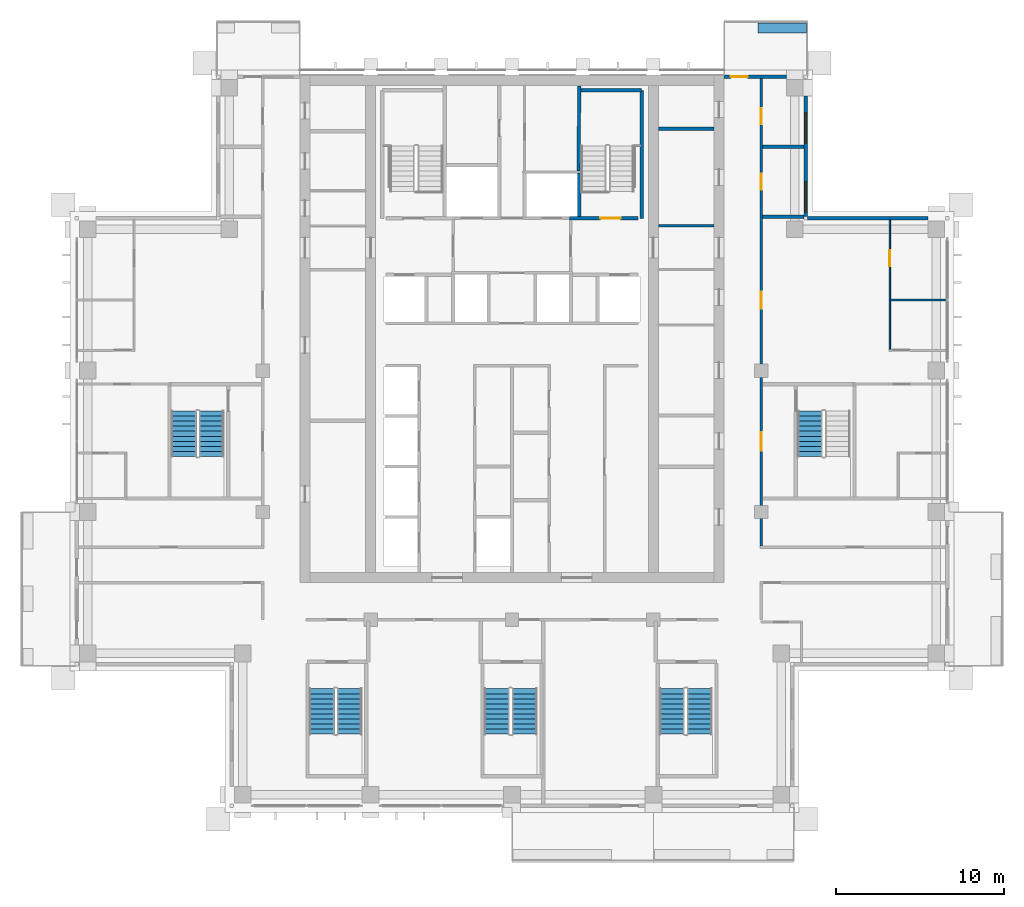
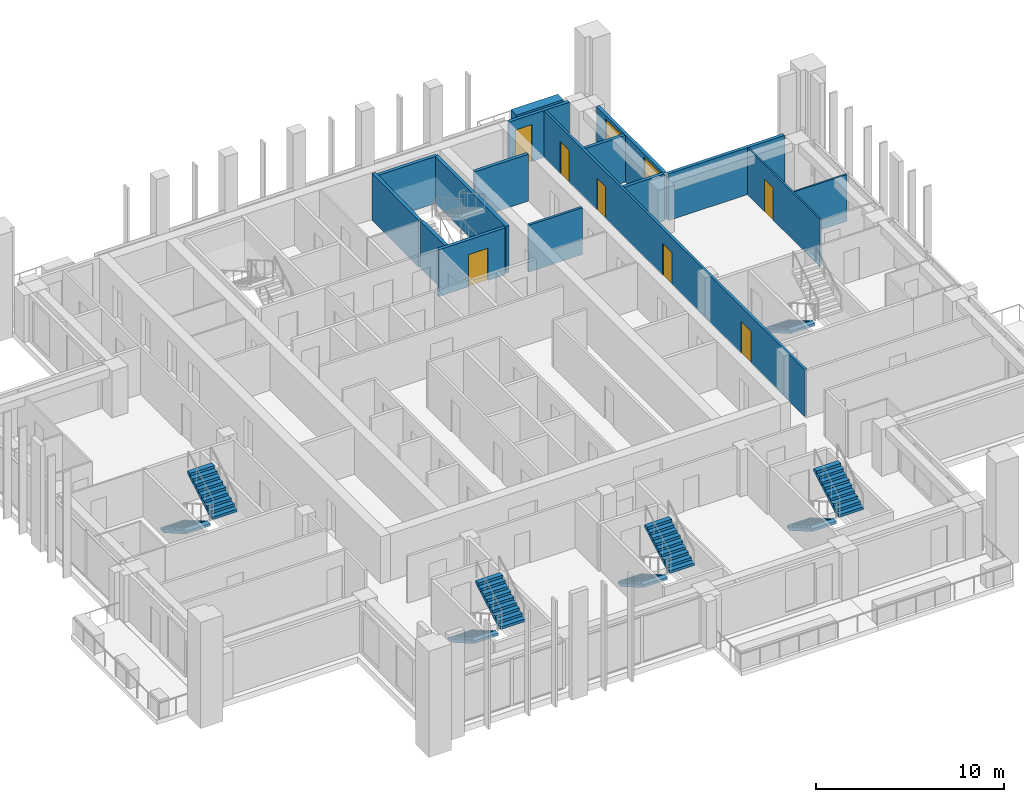
# One storey, part 13 of 18: 16 walls, 9 stair flights, 7 doors, 2 windows, 9 openings, 5 elements without a shape of their own.
"""IFC4 building model written with IfcOpenShell, lengths in metres."""

from ifc_helpers import new_model, si_unit, direction, frame, frame_2d, origin, place, context, subcontext, project, spatial, polyline, rectangle, outline, extrude, material, layer, layer_set, type_object, element, fill, aggregate, save


model = new_model("IFC4")

# Units and contexts
model_context = context("Model", 3, precision=1e-05, world=origin(), true_north=direction((0.0, 1.0)))
body_context = subcontext(model_context, "Body", "Model", "MODEL_VIEW")
ifc_project = project(units=[si_unit("LENGTHUNIT", "METRE"), si_unit("AREAUNIT", "SQUARE_METRE"), si_unit("VOLUMEUNIT", "CUBIC_METRE"), si_unit("PLANEANGLEUNIT", "RADIAN"), si_unit("MASSUNIT", "GRAM", prefix="KILO")], contexts=[model_context])

# Site, building, storey
site_placement = place(None, origin())
site = spatial("IfcSite", under=ifc_project, at=site_placement, CompositionType="ELEMENT")
building_placement = place(site_placement, origin())
building = spatial("IfcBuilding", under=site, at=building_placement, Name="Vermilion Ogive Tower", CompositionType="ELEMENT")
storey_placement = place(building_placement, frame((0.0, 0.0, 185.89990234375)))
storey = spatial("IfcBuildingStorey", under=building, at=storey_placement, Name="L48", CompositionType="ELEMENT", Elevation=185.89990234375)

# Wall
ifc_material_1 = material(Name="Gypsum board partition on steel studs", Category="steel")
ifc_layer_1 = layer(ifc_material_1, 0.10009765625)
ifc_layer_set_1 = layer_set([ifc_layer_1], Name="Partition 100 inner")
wall_type_1 = type_object("IfcWallType", Name="Partition 100 inner", PredefinedType="PARTITIONING", material=ifc_layer_set_1)
wall_1_placement = place(storey_placement, frame((22.5, 8.39990234375, 0.0), z_axis=(0.0, 0.0, 1.0), x_axis=(1.0, 0.0, 0.0)))
element("IfcWall", 1, at=wall_1_placement, inside=storey, type_object=wall_type_1, Name="L48-W-W024", PredefinedType="PARTITIONING", context=body_context, shape_type="SweptSolid", body=[
    extrude(rectangle(XDim=3.25, YDim=0.10009765625, at=frame_2d((1.625, 0.0))), origin(), (0.0, 0.0, 1.0), 3.050048828125),
])

# Wall, opening, door
wall_2_placement = place(storey_placement, frame((22.449951171875, 5.449951171875, 0.0), z_axis=(0.0, 0.0, 1.0), x_axis=(0.0, 1.0, 0.0)))
wall_2 = element("IfcWall", 2, at=wall_2_placement, inside=storey, type_object=wall_type_1, Name="L48-W-W046", PredefinedType="PARTITIONING", context=body_context, shape_type="SweptSolid", body=[
    extrude(rectangle(XDim=7.699951171875, YDim=0.10009765625, at=frame_2d((3.85009765625, 0.0))), origin(), (0.0, 0.0, 1.0), 3.050048828125),
])
opening_1_placement = place(wall_2_placement, frame((4.949951171875, 0.0, 0.0)))
opening_1 = element("IfcOpeningElement", 3, at=opening_1_placement, cuts=wall_2, Name="Opening D4G2014", PredefinedType="OPENING", context=body_context, shape_type="SweptSolid", body=[
    extrude(rectangle(XDim=0.949951171875, YDim=2.10009765625, at=frame_2d((0.47509765625, 1.050048828125))), frame((0.0, 0.06005859375, 0.0), z_axis=(0.0, -1.0, 0.0), x_axis=(1.0, 0.0, 0.0)), (0.0, 0.0, 1.0), 0.1201171875),
])
ifc_material_2 = material(Name="Timber door leaf", Category="wood")
door_type_1 = type_object("IfcDoorType", Name="Inner door 950 x 2100 FD30", OperationType="SINGLE_SWING_LEFT", PredefinedType="DOOR", material=ifc_material_2)
door_1_placement = place(opening_1_placement, origin())
door_1 = element("IfcDoor", 4, at=door_1_placement, inside=storey, type_object=door_type_1, Name="L48-D-D014", OperationType="SINGLE_SWING_LEFT", OverallHeight=2.10009765625, OverallWidth=0.949951171875, PredefinedType="DOOR", context=body_context, shape_type="SweptSolid", body=[
    extrude(rectangle(XDim=0.949951171875, YDim=2.10009765625, at=frame_2d((0.47509765625, 1.050048828125))), frame((0.0, 0.02490234375, 0.0), z_axis=(0.0, -1.0, 0.0), x_axis=(1.0, 0.0, 0.0)), (0.0, 0.0, 1.0), 0.050048828125),
])
fill(opening_1, door_1)

# Wall, openings, doors
ifc_material_3 = material(Name="Gypsum board partition on steel studs", Category="steel")
ifc_layer_2 = layer(ifc_material_3, 0.14990234375)
ifc_layer_set_2 = layer_set([ifc_layer_2], Name="Partition 150 corridor")
wall_type_2 = type_object("IfcWallType", Name="Partition 150 corridor", PredefinedType="PARTITIONING", material=ifc_layer_set_2)
wall_3_placement = place(storey_placement, frame((14.800048828125, -6.22509765625, 0.0), z_axis=(0.0, 0.0, 1.0), x_axis=(0.0, 1.0, 0.0)))
wall_3 = element("IfcWall", 5, at=wall_3_placement, inside=storey, type_object=wall_type_2, Name="L48-W-W042", PredefinedType="PARTITIONING", context=body_context, shape_type="SweptSolid", body=[
    extrude(rectangle(XDim=27.775146484375, YDim=0.14990234375, at=frame_2d((13.8876953125, 0.0))), origin(), (0.0, 0.0, 1.0), 3.050048828125),
])
opening_2_placement = place(wall_3_placement, frame((14.10009765625, 0.0, 0.0)))
opening_2 = element("IfcOpeningElement", 6, at=opening_2_placement, cuts=wall_3, Name="Opening D4G2015", PredefinedType="OPENING", context=body_context, shape_type="SweptSolid", body=[
    extrude(rectangle(XDim=1.0, YDim=2.10009765625, at=frame_2d((0.5, 1.050048828125))), frame((0.0, 0.0849609375, 0.0), z_axis=(0.0, -1.0, 0.0), x_axis=(1.0, 0.0, 0.0)), (0.0, 0.0, 1.0), 0.169921875),
])
opening_3_placement = place(wall_3_placement, frame((21.175048828125, 0.0, 0.0)))
opening_3 = element("IfcOpeningElement", 7, at=opening_3_placement, cuts=wall_3, Name="Opening D4G2018", PredefinedType="OPENING", context=body_context, shape_type="SweptSolid", body=[
    extrude(rectangle(XDim=0.949951171875, YDim=2.10009765625, at=frame_2d((0.47509765625, 1.050048828125))), frame((0.0, 0.0849609375, 0.0), z_axis=(0.0, -1.0, 0.0), x_axis=(1.0, 0.0, 0.0)), (0.0, 0.0, 1.0), 0.169921875),
])
opening_4_placement = place(wall_3_placement, frame((25.0751953125, 0.0, 0.0)))
opening_4 = element("IfcOpeningElement", 8, at=opening_4_placement, cuts=wall_3, Name="Opening D4G2019", PredefinedType="OPENING", context=body_context, shape_type="SweptSolid", body=[
    extrude(rectangle(XDim=0.949951171875, YDim=2.10009765625, at=frame_2d((0.47509765625, 1.050048828125))), frame((0.0, 0.0849609375, 0.0), z_axis=(0.0, -1.0, 0.0), x_axis=(1.0, 0.0, 0.0)), (0.0, 0.0, 1.0), 0.169921875),
])
opening_5_placement = place(wall_3_placement, frame((5.675048828125, 0.0, 0.0)))
opening_5 = element("IfcOpeningElement", 9, at=opening_5_placement, cuts=wall_3, Name="Opening D4G2026", PredefinedType="OPENING", context=body_context, shape_type="SweptSolid", body=[
    extrude(rectangle(XDim=1.10009765625, YDim=2.10009765625, at=frame_2d((0.550048828125, 1.050048828125))), frame((0.0, 0.0849609375, 0.0), z_axis=(0.0, -1.0, 0.0), x_axis=(1.0, 0.0, 0.0)), (0.0, 0.0, 1.0), 0.169921875),
])
ifc_material_4 = material(Name="Timber door leaf", Category="wood")
door_type_2 = type_object("IfcDoorType", Name="Stair door 1100 x 2100 FD60S", OperationType="SINGLE_SWING_LEFT", PredefinedType="DOOR", material=ifc_material_4)
door_2_placement = place(opening_5_placement, origin())
door_2 = element("IfcDoor", 10, at=door_2_placement, inside=storey, type_object=door_type_2, Name="L48-D-D026", OperationType="SINGLE_SWING_LEFT", OverallHeight=2.10009765625, OverallWidth=1.10009765625, PredefinedType="DOOR", context=body_context, shape_type="SweptSolid", body=[
    extrude(rectangle(XDim=1.10009765625, YDim=2.10009765625, at=frame_2d((0.550048828125, 1.050048828125))), frame((0.0, 0.02490234375, 0.0), z_axis=(0.0, -1.0, 0.0), x_axis=(1.0, 0.0, 0.0)), (0.0, 0.0, 1.0), 0.050048828125),
])
fill(opening_5, door_2)
ifc_material_5 = material(Name="Timber door leaf", Category="wood")
door_type_3 = type_object("IfcDoorType", Name="Unit door 1000 x 2100 FD30S", OperationType="SINGLE_SWING_LEFT", PredefinedType="DOOR", material=ifc_material_5)
door_3_placement = place(opening_2_placement, origin())
door_3 = element("IfcDoor", 11, at=door_3_placement, inside=storey, type_object=door_type_3, Name="L48-D-D015", OperationType="SINGLE_SWING_RIGHT", OverallHeight=2.10009765625, OverallWidth=1.0, PredefinedType="DOOR", context=body_context, shape_type="SweptSolid", body=[
    extrude(rectangle(XDim=1.0, YDim=2.10009765625, at=frame_2d((0.5, 1.050048828125))), frame((0.0, 0.02490234375, 0.0), z_axis=(0.0, -1.0, 0.0), x_axis=(1.0, 0.0, 0.0)), (0.0, 0.0, 1.0), 0.050048828125),
])
fill(opening_2, door_3)
ifc_material_6 = material(Name="Timber door leaf", Category="wood")
door_type_4 = type_object("IfcDoorType", Name="Unit door 950 x 2100 FD30S", OperationType="SINGLE_SWING_LEFT", PredefinedType="DOOR", material=ifc_material_6)
door_4_placement = place(opening_3_placement, origin())
door_4 = element("IfcDoor", 12, at=door_4_placement, inside=storey, type_object=door_type_4, Name="L48-D-D018", OperationType="SINGLE_SWING_LEFT", OverallHeight=2.10009765625, OverallWidth=0.949951171875, PredefinedType="DOOR", context=body_context, shape_type="SweptSolid", body=[
    extrude(rectangle(XDim=0.949951171875, YDim=2.10009765625, at=frame_2d((0.47509765625, 1.050048828125))), frame((0.0, 0.02490234375, 0.0), z_axis=(0.0, -1.0, 0.0), x_axis=(1.0, 0.0, 0.0)), (0.0, 0.0, 1.0), 0.050048828125),
])
fill(opening_3, door_4)
door_5_placement = place(opening_4_placement, origin())
door_5 = element("IfcDoor", 13, at=door_5_placement, inside=storey, type_object=door_type_4, Name="L48-D-D019", OperationType="SINGLE_SWING_RIGHT", OverallHeight=2.10009765625, OverallWidth=0.949951171875, PredefinedType="DOOR", context=body_context, shape_type="SweptSolid", body=[
    extrude(rectangle(XDim=0.949951171875, YDim=2.10009765625, at=frame_2d((0.47509765625, 1.050048828125))), frame((0.0, 0.02490234375, 0.0), z_axis=(0.0, -1.0, 0.0), x_axis=(1.0, 0.0, 0.0)), (0.0, 0.0, 1.0), 0.050048828125),
])
fill(opening_4, door_5)

# Walls
wall_4_placement = place(storey_placement, frame((8.700927734375, 12.800048828125, 0.0), z_axis=(0.0, 0.0, 1.0), x_axis=(1.0, 0.0, 0.0)))
element("IfcWall", 14, at=wall_4_placement, inside=storey, type_object=wall_type_2, Name="L48-CKE-W-W005", PredefinedType="PARTITIONING", context=body_context, shape_type="SweptSolid", body=[
    extrude(rectangle(XDim=3.298095703125, YDim=0.14990234375, at=frame_2d((1.64892578125, 0.0))), origin(), (0.0, 0.0, 1.0), 3.050048828125),
])
ifc_material_7 = material(Name="Gypsum board partition on steel studs", Category="steel")
ifc_layer_3 = layer(ifc_material_7, 0.199951171875)
ifc_layer_set_3 = layer_set([ifc_layer_3], Name="Partition 200 party")
wall_type_3 = type_object("IfcWallType", Name="Partition 200 party", PredefinedType="PARTITIONING", material=ifc_layer_set_3)
for number, where, z_axis, x_axis, name in (
    (15, (14.875, 13.35009765625, 0.0), (0.0, 0.0, 1.0), (1.0, 0.0, 0.0), "L48-W-W026"),
    (16, (14.875, 17.5, 0.0), (0.0, 0.0, 1.0), (1.0, 0.0, 0.0), "L48-W-W028"),
):
    element("IfcWall", number, at=place(storey_placement, frame(where, z_axis=z_axis, x_axis=x_axis)), inside=storey, type_object=wall_type_3, Name=name, PredefinedType="PARTITIONING", context=body_context, shape_type="SweptSolid", body=[
        extrude(rectangle(XDim=2.47509765625, YDim=0.199951171875, at=frame_2d((1.237548828125, 0.0))), origin(), (0.0, 0.0, 1.0), 3.050048828125),
    ])
wall_5_placement = place(storey_placement, frame((8.700927734375, 18.56005859375, 0.0), z_axis=(0.0, 0.0, 1.0), x_axis=(1.0, 0.0, 0.0)))
element("IfcWall", 17, at=wall_5_placement, inside=storey, type_object=wall_type_3, Name="L48-CKE-W-W006", PredefinedType="PARTITIONING", context=body_context, shape_type="SweptSolid", body=[
    extrude(rectangle(XDim=3.298095703125, YDim=0.199951171875, at=frame_2d((1.64892578125, 0.0))), origin(), (0.0, 0.0, 1.0), 3.050048828125),
])

# Wall, opening, door
ifc_material_8 = material(Name="Concrete B60", Category="concrete")
ifc_layer_4 = layer(ifc_material_8, 0.199951171875)
ifc_layer_set_4 = layer_set([ifc_layer_4], Name="Stair shaft wall 200 Concrete B60")
wall_type_4 = type_object("IfcWallType", Name="Stair shaft wall 200 Concrete B60", PredefinedType="SOLIDWALL", material=ifc_layer_set_4)
wall_6_placement = place(storey_placement, frame((3.425048828125, 13.25, 0.0), z_axis=(0.0, 0.0, 1.0), x_axis=(1.0, 0.0, 0.0)))
wall_6 = element("IfcWall", 18, at=wall_6_placement, inside=storey, type_object=wall_type_4, Name="L48-CK-W-W017", PredefinedType="SOLIDWALL", context=body_context, shape_type="SweptSolid", body=[
    extrude(rectangle(XDim=4.074951171875, YDim=0.199951171875, at=frame_2d((2.03759765625, 0.0))), origin(), (0.0, 0.0, 1.0), 3.050048828125),
])
opening_6_placement = place(wall_6_placement, frame((1.824951171875, 0.0, 0.0)))
opening_6 = element("IfcOpeningElement", 19, at=opening_6_placement, cuts=wall_6, Name="Opening DAA433", PredefinedType="OPENING", context=body_context, shape_type="SweptSolid", body=[
    extrude(rectangle(XDim=1.199951171875, YDim=2.10009765625, at=frame_2d((0.60009765625, 1.050048828125))), frame((0.0, 0.10986328125, 0.0), z_axis=(0.0, -1.0, 0.0), x_axis=(1.0, 0.0, 0.0)), (0.0, 0.0, 1.0), 0.219970703125),
])
ifc_material_9 = material(Name="Timber door leaf", Category="wood")
door_type_5 = type_object("IfcDoorType", Name="Stair door 1200 x 2100 FD60S", OperationType="SINGLE_SWING_LEFT", PredefinedType="DOOR", material=ifc_material_9)
door_6_placement = place(opening_6_placement, origin())
door_6 = element("IfcDoor", 20, at=door_6_placement, inside=storey, type_object=door_type_5, Name="L48-CK-D-D014", OperationType="SINGLE_SWING_RIGHT", OverallHeight=2.10009765625, OverallWidth=1.199951171875, PredefinedType="DOOR", context=body_context, shape_type="SweptSolid", body=[
    extrude(rectangle(XDim=1.199951171875, YDim=2.10009765625, at=frame_2d((0.60009765625, 1.050048828125))), frame((0.0, 0.02490234375, 0.0), z_axis=(0.0, -1.0, 0.0), x_axis=(1.0, 0.0, 0.0)), (0.0, 0.0, 1.0), 0.050048828125),
])
fill(opening_6, door_6)

# Walls
wall_7_placement = place(storey_placement, frame((4.0, 13.35009765625, 0.0), z_axis=(0.0, 0.0, 1.0), x_axis=(0.0, 1.0, 0.0)))
element("IfcWall", 21, at=wall_7_placement, inside=storey, type_object=wall_type_4, Name="L48-CK-W-W035", PredefinedType="SOLIDWALL", context=body_context, shape_type="SweptSolid", body=[
    extrude(rectangle(XDim=2.599853515625, YDim=0.199951171875, at=frame_2d((1.2998046875, 0.0))), origin(), (0.0, 0.0, 1.0), 3.050048828125),
])
wall_8_placement = place(storey_placement, frame((3.949951171875, 16.050048828125, 0.0), z_axis=(0.0, 0.0, 1.0), x_axis=(0.009911993103, 0.99995087499, 0.0)))
element("IfcWall", 22, at=wall_8_placement, inside=storey, type_object=wall_type_4, Name="L48-CK-W-W036", PredefinedType="SOLIDWALL", context=body_context, shape_type="SweptSolid", body=[
    extrude(rectangle(XDim=5.04931640625, YDim=0.199951171875, at=frame_2d((2.524658203125, 0.0))), origin(), (0.0, 0.0, 1.0), 3.050048828125),
])
wall_9_placement = place(storey_placement, frame((7.699951171875, 13.25, 0.0), z_axis=(0.0, 0.0, 1.0), x_axis=(0.0, 1.0, 0.0)))
element("IfcWall", 23, at=wall_9_placement, inside=storey, type_object=wall_type_4, Name="L48-SW-R022-E1", PredefinedType="SOLIDWALL", context=body_context, shape_type="SweptSolid", body=[
    extrude(rectangle(XDim=7.60009765625, YDim=0.199951171875, at=frame_2d((3.800048828125, 0.0))), origin(), (0.0, 0.0, 1.0), 3.050048828125),
])
wall_10_placement = place(storey_placement, frame((4.10009765625, 20.85009765625, 0.0), z_axis=(0.0, 0.0, 1.0), x_axis=(1.0, 0.0, 0.0)))
element("IfcWall", 24, at=wall_10_placement, inside=storey, type_object=wall_type_4, Name="L48-SW-R022-N1", PredefinedType="SOLIDWALL", context=body_context, shape_type="SweptSolid", body=[
    extrude(rectangle(XDim=3.599853515625, YDim=0.199951171875, at=frame_2d((1.7998046875, 0.0))), origin(), (0.0, 0.0, 1.0), 3.050048828125),
])
ifc_material_10 = material(Name="Concrete B40", Category="concrete")
ifc_layer_5 = layer(ifc_material_10, 0.60009765625)
ifc_layer_set_5 = layer_set([ifc_layer_5], Name="Structural planter")
wall_type_5 = type_object("IfcWallType", Name="Structural planter", PredefinedType="USERDEFINED", material=ifc_layer_set_5)
wall_11_placement = place(storey_placement, frame((17.489990234375, 24.550048828125, -0.039794921875), z_axis=(0.0, 0.0, 1.0), x_axis=(-1.0, 0.0, 0.0)))
element("IfcWall", 25, at=wall_11_placement, inside=storey, type_object=wall_type_5, Name="Planter N101A1", ObjectType="PLANTER", PredefinedType="USERDEFINED", context=body_context, shape_type="SweptSolid", body=[
    extrude(rectangle(XDim=2.889892578125, YDim=0.60009765625, at=frame_2d((1.44482421875, 0.0))), origin(), (0.0, 0.0, 1.0), 1.199951171875),
])
ifc_material_11 = material(Name="Aluminium window wall framing", Category="aluminium")
ifc_layer_6 = layer(ifc_material_11, 0.199951171875)
ifc_layer_set_6 = layer_set([ifc_layer_6], Name="Window wall")
wall_type_6 = type_object("IfcWallType", Name="Window wall", PredefinedType="STANDARD", material=ifc_layer_set_6)
wall_12_placement = place(storey_placement, frame((24.699951171875, 13.25, 0.0), z_axis=(0.0, 0.0, 1.0), x_axis=(-1.0, 0.0, 0.0)))
element("IfcWall", 26, at=wall_12_placement, inside=storey, type_object=wall_type_6, Name="Window wall X31", PredefinedType="STANDARD", context=body_context, shape_type="SweptSolid", body=[
    extrude(rectangle(XDim=7.14990234375, YDim=0.199951171875, at=frame_2d((3.574951171875, 0.0))), origin(), (0.0, 0.0, 1.0), 3.050048828125),
])

# Wall, openings, windows
wall_13_placement = place(storey_placement, frame((17.449951171875, 13.35009765625, 0.0), z_axis=(0.0, 0.0, 1.0), x_axis=(0.0, 1.0, 0.0)))
wall_13 = element("IfcWall", 27, at=wall_13_placement, inside=storey, type_object=wall_type_6, Name="Window wall X41", PredefinedType="STANDARD", context=body_context, shape_type="SweptSolid", body=[
    extrude(rectangle(XDim=7.14990234375, YDim=0.199951171875, at=frame_2d((3.574951171875, 0.0))), origin(), (0.0, 0.0, 1.0), 3.050048828125),
])
opening_7_placement = place(wall_13_placement, frame((0.27490234375, 0.0, 0.199951171875)))
opening_7 = element("IfcOpeningElement", 28, at=opening_7_placement, cuts=wall_13, Name="Opening W1-X403", PredefinedType="OPENING", context=body_context, shape_type="SweptSolid", body=[
    extrude(rectangle(XDim=1.800048828125, YDim=2.64990234375, at=frame_2d((0.89990234375, 1.324951171875))), frame((0.0, 0.10986328125, 0.0), z_axis=(0.0, -1.0, 0.0), x_axis=(1.0, 0.0, 0.0)), (0.0, 0.0, 1.0), 0.219970703125),
])
opening_8_placement = place(wall_13_placement, frame((4.3701171875, 0.0, 0.199951171875)))
opening_8 = element("IfcOpeningElement", 29, at=opening_8_placement, cuts=wall_13, Name="Opening W1-X404", PredefinedType="OPENING", context=body_context, shape_type="SweptSolid", body=[
    extrude(rectangle(XDim=1.800048828125, YDim=2.64990234375, at=frame_2d((0.89990234375, 1.324951171875))), frame((0.0, 0.10986328125, 0.0), z_axis=(0.0, -1.0, 0.0), x_axis=(1.0, 0.0, 0.0)), (0.0, 0.0, 1.0), 0.219970703125),
])
ifc_material_12 = material(Name="Aluminium framed double glazing", Category="aluminium")
window_type = type_object("IfcWindowType", Name="Guest window W1", PartitioningType="SINGLE_PANEL", PredefinedType="WINDOW", material=ifc_material_12)
window_1_placement = place(opening_7_placement, origin())
window_1 = element("IfcWindow", 30, at=window_1_placement, inside=storey, type_object=window_type, Name="Window X403", OverallHeight=2.64990234375, OverallWidth=1.800048828125, PartitioningType="SINGLE_PANEL", PredefinedType="WINDOW", context=body_context, shape_type="SweptSolid", body=[
    extrude(rectangle(XDim=1.800048828125, YDim=2.64990234375, at=frame_2d((0.89990234375, 1.324951171875))), frame((0.0, 0.030029296875, 0.0), z_axis=(0.0, -1.0, 0.0), x_axis=(1.0, 0.0, 0.0)), (0.0, 0.0, 1.0), 0.06005859375),
])
fill(opening_7, window_1)
window_2_placement = place(opening_8_placement, origin())
window_2 = element("IfcWindow", 31, at=window_2_placement, inside=storey, type_object=window_type, Name="Window X404", OverallHeight=2.64990234375, OverallWidth=1.800048828125, PartitioningType="SINGLE_PANEL", PredefinedType="WINDOW", context=body_context, shape_type="SweptSolid", body=[
    extrude(rectangle(XDim=1.800048828125, YDim=2.64990234375, at=frame_2d((0.89990234375, 1.324951171875))), frame((0.0, 0.030029296875, 0.0), z_axis=(0.0, -1.0, 0.0), x_axis=(1.0, 0.0, 0.0)), (0.0, 0.0, 1.0), 0.06005859375),
])
fill(opening_8, window_2)

# Wall, opening, door
wall_14_placement = place(storey_placement, frame((16.300048828125, 21.64990234375, 0.0), z_axis=(0.0, 0.0, 1.0), x_axis=(-1.0, 0.0, 0.0)))
wall_14 = element("IfcWall", 32, at=wall_14_placement, inside=storey, type_object=wall_type_6, Name="Window wall N11", PredefinedType="STANDARD", context=body_context, shape_type="SweptSolid", body=[
    extrude(rectangle(XDim=3.699951171875, YDim=0.199951171875, at=frame_2d((1.85009765625, 0.0))), origin(), (0.0, 0.0, 1.0), 3.050048828125),
])
opening_9_placement = place(wall_14_placement, frame((2.300048828125, 0.0, 0.0)))
opening_9 = element("IfcOpeningElement", 33, at=opening_9_placement, cuts=wall_14, Name="Opening D1-N103", PredefinedType="OPENING", context=body_context, shape_type="SweptSolid", body=[
    extrude(rectangle(XDim=1.0, YDim=2.39990234375, at=frame_2d((0.5, 1.199951171875))), frame((0.0, 0.10986328125, 0.0), z_axis=(0.0, -1.0, 0.0), x_axis=(1.0, 0.0, 0.0)), (0.0, 0.0, 1.0), 0.219970703125),
])
ifc_material_13 = material(Name="Aluminium framed glazed door", Category="aluminium")
door_type_6 = type_object("IfcDoorType", Name="Balcony door D1", OperationType="SINGLE_SWING_LEFT", PredefinedType="DOOR", material=ifc_material_13)
door_7_placement = place(opening_9_placement, origin())
door_7 = element("IfcDoor", 34, at=door_7_placement, inside=storey, type_object=door_type_6, Name="Balcony door N103", OperationType="SINGLE_SWING_LEFT", OverallHeight=2.39990234375, OverallWidth=1.0, PredefinedType="DOOR", context=body_context, shape_type="SweptSolid", body=[
    extrude(rectangle(XDim=1.0, YDim=2.39990234375, at=frame_2d((0.5, 1.199951171875))), frame((0.0, 0.02490234375, 0.0), z_axis=(0.0, -1.0, 0.0), x_axis=(1.0, 0.0, 0.0)), (0.0, 0.0, 1.0), 0.050048828125),
])
fill(opening_9, door_7)

# Stair, stair flights
ifc_material_14 = material(Name="Concrete B40", Category="concrete")
stair_type = type_object("IfcStairType", Name="Exit stair 1500", PredefinedType="HALF_TURN_STAIR", material=ifc_material_14)
stair_1_placement = place(storey_placement, origin())
stair_1 = element("IfcStair", 35, at=stair_1_placement, inside=storey, type_object=stair_type, Name="L48 Exit Stair ST3", PredefinedType="HALF_TURN_STAIR")
ifc_material_15 = material(Name="Concrete B40", Category="concrete")
stair_flight_type = type_object("IfcStairFlightType", Name="Stair flight 1500", PredefinedType="STRAIGHT", material=ifc_material_15)
stair_flight_1_placement = place(storey_placement, frame((-11.300048828125, -14.699951171875, 0.0), z_axis=(0.0, 0.0, 1.0), x_axis=(0.0, -1.0, 0.0)))
stair_flight_1 = element("IfcStairFlight", 36, at=stair_flight_1_placement, type_object=stair_flight_type, Name="ST3 flight 1", NumberOfRisers=10, NumberOfTreads=9, PredefinedType="STRAIGHT", RiserHeight=0.1725, TreadLength=0.3, context=body_context, shape_type="SweptSolid", body=[
    extrude(outline(polyline([(0.0, 0.0), (0.0, 0.172607421875), (0.300048828125, 0.172607421875), (0.300048828125, 0.344970703125), (0.60009765625, 0.344970703125), (0.60009765625, 0.517578125), (0.89990234375, 0.517578125), (0.89990234375, 0.68994140625), (1.199951171875, 0.68994140625), (1.199951171875, 0.862548828125), (1.5, 0.862548828125), (1.5, 1.034912109375), (1.800048828125, 1.034912109375), (1.800048828125, 1.20751953125), (2.10009765625, 1.20751953125), (2.10009765625, 1.3798828125), (2.39990234375, 1.3798828125), (2.39990234375, 1.552490234375), (2.699951171875, 1.552490234375), (2.699951171875, 1.72509765625), (2.699951171875, 1.379638671875), (0.30078125, 0.0), (0.0, 0.0)])), frame((0.0, 0.75, 0.0), z_axis=(0.0, -1.0, 0.0), x_axis=(1.0, 0.0, 0.0)), (0.0, 0.0, 1.0), 1.5),
])
stair_flight_2_placement = place(storey_placement, frame((-9.64990234375, -17.39990234375, 1.72509765625), z_axis=(0.0, 0.0, 1.0), x_axis=(0.0, 1.0, 0.0)))
stair_flight_2 = element("IfcStairFlight", 37, at=stair_flight_2_placement, type_object=stair_flight_type, Name="ST3 flight 2", NumberOfRisers=10, NumberOfTreads=9, PredefinedType="STRAIGHT", RiserHeight=0.1725, TreadLength=0.3, context=body_context, shape_type="SweptSolid", body=[
    extrude(outline(polyline([(0.0, 0.0), (0.0, 0.172607421875), (0.300048828125, 0.172607421875), (0.300048828125, 0.344970703125), (0.60009765625, 0.344970703125), (0.60009765625, 0.517578125), (0.89990234375, 0.517578125), (0.89990234375, 0.68994140625), (1.199951171875, 0.68994140625), (1.199951171875, 0.862548828125), (1.5, 0.862548828125), (1.5, 1.034912109375), (1.800048828125, 1.034912109375), (1.800048828125, 1.20751953125), (2.10009765625, 1.20751953125), (2.10009765625, 1.3798828125), (2.39990234375, 1.3798828125), (2.39990234375, 1.552490234375), (2.699951171875, 1.552490234375), (2.699951171875, 1.72509765625), (2.699951171875, 1.379638671875), (0.30078125, 0.0), (0.0, 0.0)])), frame((0.0, 0.75, 0.0), z_axis=(0.0, -1.0, 0.0), x_axis=(1.0, 0.0, 0.0)), (0.0, 0.0, 1.0), 1.5),
])
aggregate(stair_1, [stair_flight_1, stair_flight_2])

stair_2_placement = place(storey_placement, origin())
stair_2 = element("IfcStair", 38, at=stair_2_placement, inside=storey, type_object=stair_type, Name="L48 Exit Stair ST4", PredefinedType="HALF_TURN_STAIR")
stair_flight_3_placement = place(storey_placement, frame((-0.89990234375, -14.699951171875, 0.0), z_axis=(0.0, 0.0, 1.0), x_axis=(0.0, -1.0, 0.0)))
stair_flight_3 = element("IfcStairFlight", 39, at=stair_flight_3_placement, type_object=stair_flight_type, Name="ST4 flight 1", NumberOfRisers=10, NumberOfTreads=9, PredefinedType="STRAIGHT", RiserHeight=0.1725, TreadLength=0.3, context=body_context, shape_type="SweptSolid", body=[
    extrude(outline(polyline([(0.0, 0.0), (0.0, 0.172607421875), (0.300048828125, 0.172607421875), (0.300048828125, 0.344970703125), (0.60009765625, 0.344970703125), (0.60009765625, 0.517578125), (0.89990234375, 0.517578125), (0.89990234375, 0.68994140625), (1.199951171875, 0.68994140625), (1.199951171875, 0.862548828125), (1.5, 0.862548828125), (1.5, 1.034912109375), (1.800048828125, 1.034912109375), (1.800048828125, 1.20751953125), (2.10009765625, 1.20751953125), (2.10009765625, 1.3798828125), (2.39990234375, 1.3798828125), (2.39990234375, 1.552490234375), (2.699951171875, 1.552490234375), (2.699951171875, 1.72509765625), (2.699951171875, 1.379638671875), (0.30078125, 0.0), (0.0, 0.0)])), frame((0.0, 0.75, 0.0), z_axis=(0.0, -1.0, 0.0), x_axis=(1.0, 0.0, 0.0)), (0.0, 0.0, 1.0), 1.5),
])
stair_flight_4_placement = place(storey_placement, frame((0.75, -17.39990234375, 1.72509765625), z_axis=(0.0, 0.0, 1.0), x_axis=(0.0, 1.0, 0.0)))
stair_flight_4 = element("IfcStairFlight", 40, at=stair_flight_4_placement, type_object=stair_flight_type, Name="ST4 flight 2", NumberOfRisers=10, NumberOfTreads=9, PredefinedType="STRAIGHT", RiserHeight=0.1725, TreadLength=0.3, context=body_context, shape_type="SweptSolid", body=[
    extrude(outline(polyline([(0.0, 0.0), (0.0, 0.172607421875), (0.300048828125, 0.172607421875), (0.300048828125, 0.344970703125), (0.60009765625, 0.344970703125), (0.60009765625, 0.517578125), (0.89990234375, 0.517578125), (0.89990234375, 0.68994140625), (1.199951171875, 0.68994140625), (1.199951171875, 0.862548828125), (1.5, 0.862548828125), (1.5, 1.034912109375), (1.800048828125, 1.034912109375), (1.800048828125, 1.20751953125), (2.10009765625, 1.20751953125), (2.10009765625, 1.3798828125), (2.39990234375, 1.3798828125), (2.39990234375, 1.552490234375), (2.699951171875, 1.552490234375), (2.699951171875, 1.72509765625), (2.699951171875, 1.379638671875), (0.30078125, 0.0), (0.0, 0.0)])), frame((0.0, 0.75, 0.0), z_axis=(0.0, -1.0, 0.0), x_axis=(1.0, 0.0, 0.0)), (0.0, 0.0, 1.0), 1.5),
])
aggregate(stair_2, [stair_flight_3, stair_flight_4])

stair_3_placement = place(storey_placement, origin())
stair_3 = element("IfcStair", 41, at=stair_3_placement, inside=storey, type_object=stair_type, Name="L48 Exit Stair ST5", PredefinedType="HALF_TURN_STAIR")
stair_flight_5_placement = place(storey_placement, frame((9.5, -14.699951171875, 0.0), z_axis=(0.0, 0.0, 1.0), x_axis=(0.0, -1.0, 0.0)))
stair_flight_5 = element("IfcStairFlight", 42, at=stair_flight_5_placement, type_object=stair_flight_type, Name="ST5 flight 1", NumberOfRisers=10, NumberOfTreads=9, PredefinedType="STRAIGHT", RiserHeight=0.1725, TreadLength=0.3, context=body_context, shape_type="SweptSolid", body=[
    extrude(outline(polyline([(0.0, 0.0), (0.0, 0.172607421875), (0.300048828125, 0.172607421875), (0.300048828125, 0.344970703125), (0.60009765625, 0.344970703125), (0.60009765625, 0.517578125), (0.89990234375, 0.517578125), (0.89990234375, 0.68994140625), (1.199951171875, 0.68994140625), (1.199951171875, 0.862548828125), (1.5, 0.862548828125), (1.5, 1.034912109375), (1.800048828125, 1.034912109375), (1.800048828125, 1.20751953125), (2.10009765625, 1.20751953125), (2.10009765625, 1.3798828125), (2.39990234375, 1.3798828125), (2.39990234375, 1.552490234375), (2.699951171875, 1.552490234375), (2.699951171875, 1.72509765625), (2.699951171875, 1.379638671875), (0.30078125, 0.0), (0.0, 0.0)])), frame((0.0, 0.75, 0.0), z_axis=(0.0, -1.0, 0.0), x_axis=(1.0, 0.0, 0.0)), (0.0, 0.0, 1.0), 1.5),
])
stair_flight_6_placement = place(storey_placement, frame((11.14990234375, -17.39990234375, 1.72509765625), z_axis=(0.0, 0.0, 1.0), x_axis=(0.0, 1.0, 0.0)))
stair_flight_6 = element("IfcStairFlight", 43, at=stair_flight_6_placement, type_object=stair_flight_type, Name="ST5 flight 2", NumberOfRisers=10, NumberOfTreads=9, PredefinedType="STRAIGHT", RiserHeight=0.1725, TreadLength=0.3, context=body_context, shape_type="SweptSolid", body=[
    extrude(outline(polyline([(0.0, 0.0), (0.0, 0.172607421875), (0.300048828125, 0.172607421875), (0.300048828125, 0.344970703125), (0.60009765625, 0.344970703125), (0.60009765625, 0.517578125), (0.89990234375, 0.517578125), (0.89990234375, 0.68994140625), (1.199951171875, 0.68994140625), (1.199951171875, 0.862548828125), (1.5, 0.862548828125), (1.5, 1.034912109375), (1.800048828125, 1.034912109375), (1.800048828125, 1.20751953125), (2.10009765625, 1.20751953125), (2.10009765625, 1.3798828125), (2.39990234375, 1.3798828125), (2.39990234375, 1.552490234375), (2.699951171875, 1.552490234375), (2.699951171875, 1.72509765625), (2.699951171875, 1.379638671875), (0.30078125, 0.0), (0.0, 0.0)])), frame((0.0, 0.75, 0.0), z_axis=(0.0, -1.0, 0.0), x_axis=(1.0, 0.0, 0.0)), (0.0, 0.0, 1.0), 1.5),
])
aggregate(stair_3, [stair_flight_5, stair_flight_6])

# Stair, stair flight
stair_4_placement = place(storey_placement, origin())
stair_4 = element("IfcStair", 44, at=stair_4_placement, inside=storey, type_object=stair_type, Name="L48 Exit Stair ST8", PredefinedType="HALF_TURN_STAIR")
stair_flight_7_placement = place(storey_placement, frame((17.699951171875, 1.800048828125, 0.0), z_axis=(0.0, 0.0, 1.0), x_axis=(0.0, -1.0, 0.0)))
stair_flight_7 = element("IfcStairFlight", 45, at=stair_flight_7_placement, type_object=stair_flight_type, Name="ST8 flight 1", NumberOfRisers=10, NumberOfTreads=9, PredefinedType="STRAIGHT", RiserHeight=0.1725, TreadLength=0.3, context=body_context, shape_type="SweptSolid", body=[
    extrude(outline(polyline([(0.0, 0.0), (0.0, 0.172607421875), (0.300048828125, 0.172607421875), (0.300048828125, 0.344970703125), (0.60009765625, 0.344970703125), (0.60009765625, 0.517578125), (0.89990234375, 0.517578125), (0.89990234375, 0.68994140625), (1.199951171875, 0.68994140625), (1.199951171875, 0.862548828125), (1.5, 0.862548828125), (1.5, 1.034912109375), (1.800048828125, 1.034912109375), (1.800048828125, 1.20751953125), (2.10009765625, 1.20751953125), (2.10009765625, 1.3798828125), (2.39990234375, 1.3798828125), (2.39990234375, 1.552490234375), (2.699951171875, 1.552490234375), (2.699951171875, 1.72509765625), (2.699951171875, 1.379638671875), (0.30078125, 0.0), (0.0, 0.0)])), frame((0.0, 0.75, 0.0), z_axis=(0.0, -1.0, 0.0), x_axis=(1.0, 0.0, 0.0)), (0.0, 0.0, 1.0), 1.5),
])
aggregate(stair_4, [stair_flight_7])

# Stair, stair flights
stair_5_placement = place(storey_placement, origin())
stair_5 = element("IfcStair", 46, at=stair_5_placement, inside=storey, type_object=stair_type, Name="L48 Exit Stair ST9", PredefinedType="HALF_TURN_STAIR")
stair_flight_8_placement = place(storey_placement, frame((-19.5, 1.800048828125, 0.0), z_axis=(0.0, 0.0, 1.0), x_axis=(0.0, -1.0, 0.0)))
stair_flight_8 = element("IfcStairFlight", 47, at=stair_flight_8_placement, type_object=stair_flight_type, Name="ST9 flight 1", NumberOfRisers=10, NumberOfTreads=9, PredefinedType="STRAIGHT", RiserHeight=0.1725, TreadLength=0.3, context=body_context, shape_type="SweptSolid", body=[
    extrude(outline(polyline([(0.0, 0.0), (0.0, 0.172607421875), (0.300048828125, 0.172607421875), (0.300048828125, 0.344970703125), (0.60009765625, 0.344970703125), (0.60009765625, 0.517578125), (0.89990234375, 0.517578125), (0.89990234375, 0.68994140625), (1.199951171875, 0.68994140625), (1.199951171875, 0.862548828125), (1.5, 0.862548828125), (1.5, 1.034912109375), (1.800048828125, 1.034912109375), (1.800048828125, 1.20751953125), (2.10009765625, 1.20751953125), (2.10009765625, 1.3798828125), (2.39990234375, 1.3798828125), (2.39990234375, 1.552490234375), (2.699951171875, 1.552490234375), (2.699951171875, 1.72509765625), (2.699951171875, 1.379638671875), (0.30078125, 0.0), (0.0, 0.0)])), frame((0.0, 0.75, 0.0), z_axis=(0.0, -1.0, 0.0), x_axis=(1.0, 0.0, 0.0)), (0.0, 0.0, 1.0), 1.5),
])
stair_flight_9_placement = place(storey_placement, frame((-17.85009765625, -0.89990234375, 1.72509765625), z_axis=(0.0, 0.0, 1.0), x_axis=(0.0, 1.0, 0.0)))
stair_flight_9 = element("IfcStairFlight", 48, at=stair_flight_9_placement, type_object=stair_flight_type, Name="ST9 flight 2", NumberOfRisers=10, NumberOfTreads=9, PredefinedType="STRAIGHT", RiserHeight=0.1725, TreadLength=0.3, context=body_context, shape_type="SweptSolid", body=[
    extrude(outline(polyline([(0.0, 0.0), (0.0, 0.172607421875), (0.300048828125, 0.172607421875), (0.300048828125, 0.344970703125), (0.60009765625, 0.344970703125), (0.60009765625, 0.517578125), (0.89990234375, 0.517578125), (0.89990234375, 0.68994140625), (1.199951171875, 0.68994140625), (1.199951171875, 0.862548828125), (1.5, 0.862548828125), (1.5, 1.034912109375), (1.800048828125, 1.034912109375), (1.800048828125, 1.20751953125), (2.10009765625, 1.20751953125), (2.10009765625, 1.3798828125), (2.39990234375, 1.3798828125), (2.39990234375, 1.552490234375), (2.699951171875, 1.552490234375), (2.699951171875, 1.72509765625), (2.699951171875, 1.379638671875), (0.30078125, 0.0), (0.0, 0.0)])), frame((0.0, 0.75, 0.0), z_axis=(0.0, -1.0, 0.0), x_axis=(1.0, 0.0, 0.0)), (0.0, 0.0, 1.0), 1.5),
])
aggregate(stair_5, [stair_flight_8, stair_flight_9])

save(model, "model.ifc")
